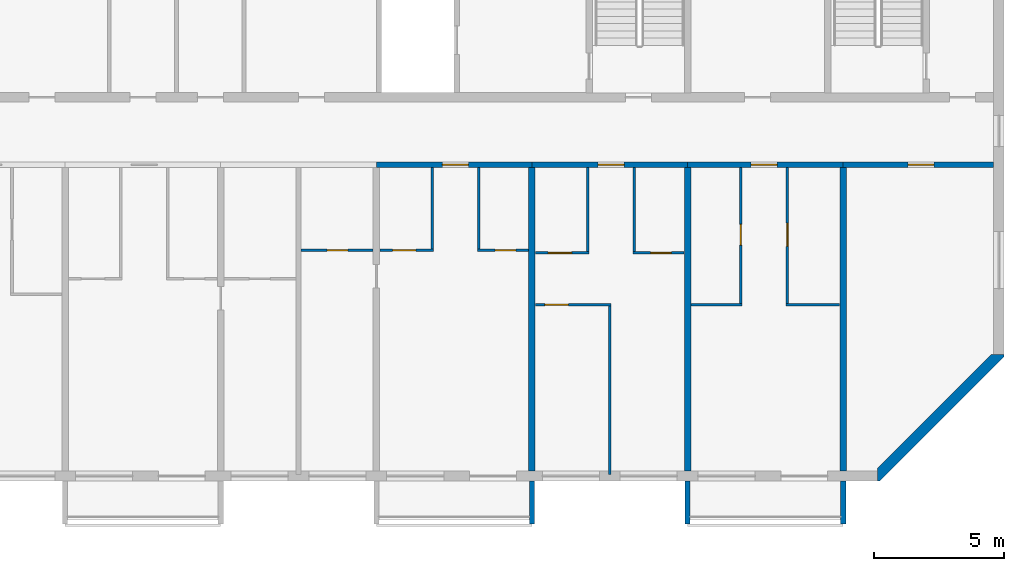
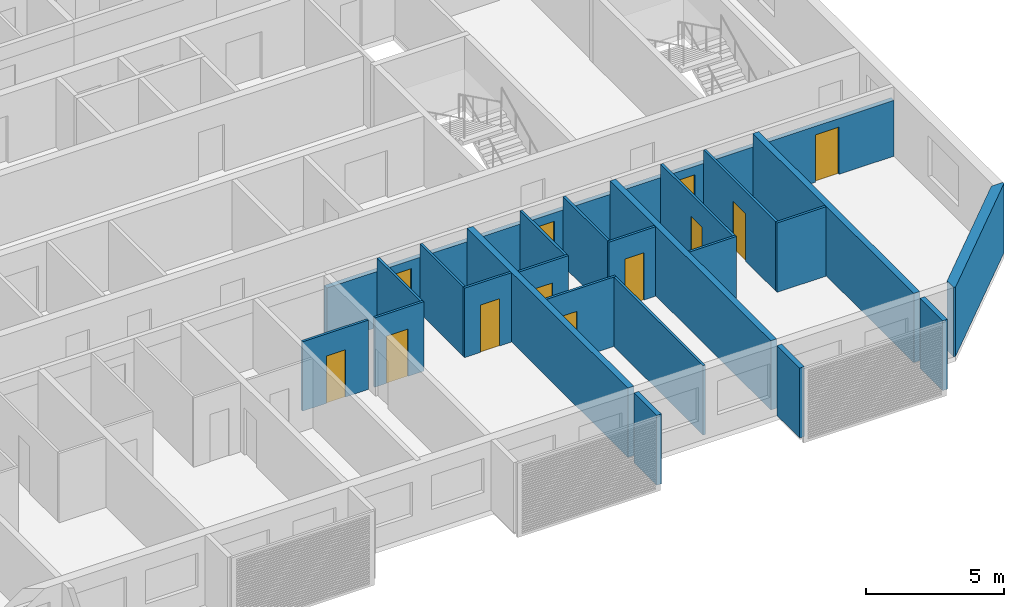
# One storey, part 5 of 27: 26 walls, 12 doors, 12 openings.
"""IFC4 building model written with IfcOpenShell, lengths in metres."""

from ifc_helpers import new_model, si_unit, direction, frame, frame_2d, origin, place, context, subcontext, project, spatial, polyline, rectangle, outline, extrude, source, transform, mapped, material, layer, layer_set, type_object, element, fill, save


model = new_model("IFC4")

# Units and contexts
model_context = context("Model", 3, precision=1e-05, world=origin(), true_north=direction((0.0, 1.0)))
body_context = subcontext(model_context, "Body", "Model", "MODEL_VIEW")
ifc_project = project(units=[si_unit("LENGTHUNIT", "METRE"), si_unit("AREAUNIT", "SQUARE_METRE"), si_unit("VOLUMEUNIT", "CUBIC_METRE"), si_unit("PLANEANGLEUNIT", "RADIAN"), si_unit("MASSUNIT", "GRAM", prefix="KILO")], contexts=[model_context])

# Site, building, storey
site_placement = place(None, origin())
site = spatial("IfcSite", under=ifc_project, at=site_placement, CompositionType="ELEMENT")
building_placement = place(site_placement, origin())
building = spatial("IfcBuilding", under=site, at=building_placement, Name="Poui Terraces", CompositionType="ELEMENT")
storey_placement = place(building_placement, frame((0.0, 0.0, 251.10009765625)))
storey = spatial("IfcBuildingStorey", under=building, at=storey_placement, Name="L70", CompositionType="ELEMENT", Elevation=251.10009765625)

# Wall, opening, door
ifc_material_1 = material(Name="Concrete 50 MPa", Category="concrete")
ifc_layer_1 = layer(ifc_material_1, 0.199951171875)
ifc_layer_set_1 = layer_set([ifc_layer_1], Name="Concrete 50 MPa")
wall_type_1 = type_object("IfcWallType", Name="CORRIDOR WALL 200 50MPa", PredefinedType="SHEAR", material=ifc_layer_set_1)
wall_1_placement = place(storey_placement, frame((60.0, 12.0, 0.0), z_axis=(0.0, 0.0, 1.0), x_axis=(1.0, 0.0, 0.0)))
wall_1 = element("IfcWall", 1, at=wall_1_placement, inside=storey, type_object=wall_type_1, Name="CORRIDOR WALL LINE B BAY 8", PredefinedType="SHEAR", context=body_context, shape_type="SweptSolid", body=[
    extrude(rectangle(XDim=6.0, YDim=0.199951171875, at=frame_2d((3.0, 0.0))), origin(), (0.0, 0.0, 1.0), 2.47998046875),
])
opening_1_placement = place(wall_1_placement, frame((2.550048828125, 0.0, 0.0)))
opening_1 = element("IfcOpeningElement", 2, at=opening_1_placement, cuts=wall_1, Name="Opening FD30S", PredefinedType="OPENING", context=body_context, shape_type="SweptSolid", body=[
    extrude(rectangle(XDim=1.0, YDim=2.10009765625, at=frame_2d((0.5, 1.050048828125))), frame((0.0, 0.10986328125, 0.0), z_axis=(0.0, -1.0, 0.0), x_axis=(1.0, 0.0, 0.0)), (0.0, 0.0, 1.0), 0.219970703125),
])
ifc_material_2 = material(Name="Steel fire door", Category="steel")
door_type_1 = type_object("IfcDoorType", Name="FLAT ENTRANCE DOOR 1000 X 2100", OperationType="NOTDEFINED", PredefinedType="DOOR", material=ifc_material_2)
door_1_placement = place(opening_1_placement, frame((1.0, 0.0, 0.0), z_axis=(0.0, 0.0, 1.0), x_axis=(-1.0, 0.0, 0.0)))
door_1 = element("IfcDoor", 3, at=door_1_placement, inside=storey, type_object=door_type_1, Name="FLAT ENTRANCE DOOR 084", OperationType="SINGLE_SWING_LEFT", OverallHeight=2.10009765625, OverallWidth=1.0, PredefinedType="DOOR", context=body_context, shape_type="SweptSolid", body=[
    extrude(rectangle(XDim=1.0, YDim=2.10009765625, at=frame_2d((0.5, 1.050048828125))), frame((0.0, 0.02490234375, 0.0), z_axis=(0.0, -1.0, 0.0), x_axis=(1.0, 0.0, 0.0)), (0.0, 0.0, 1.0), 0.050048828125),
])
fill(opening_1, door_1)

wall_2_placement = place(storey_placement, frame((66.0, 12.0, 0.0), z_axis=(0.0, 0.0, 1.0), x_axis=(1.0, 0.0, 0.0)))
wall_2 = element("IfcWall", 4, at=wall_2_placement, inside=storey, type_object=wall_type_1, Name="CORRIDOR WALL LINE B BAY 9", PredefinedType="SHEAR", context=body_context, shape_type="SweptSolid", body=[
    extrude(rectangle(XDim=6.0, YDim=0.199951171875, at=frame_2d((3.0, 0.0))), origin(), (0.0, 0.0, 1.0), 2.47998046875),
])
opening_2_placement = place(wall_2_placement, frame((2.550048828125, 0.0, 0.0)))
opening_2 = element("IfcOpeningElement", 5, at=opening_2_placement, cuts=wall_2, Name="Opening FD30S", PredefinedType="OPENING", context=body_context, shape_type="SweptSolid", body=[
    extrude(rectangle(XDim=1.0, YDim=2.10009765625, at=frame_2d((0.5, 1.050048828125))), frame((0.0, 0.10986328125, 0.0), z_axis=(0.0, -1.0, 0.0), x_axis=(1.0, 0.0, 0.0)), (0.0, 0.0, 1.0), 0.219970703125),
])
door_2_placement = place(opening_2_placement, frame((1.0, 0.0, 0.0), z_axis=(0.0, 0.0, 1.0), x_axis=(-1.0, 0.0, 0.0)))
door_2 = element("IfcDoor", 6, at=door_2_placement, inside=storey, type_object=door_type_1, Name="FLAT ENTRANCE DOOR 088", OperationType="SINGLE_SWING_LEFT", OverallHeight=2.10009765625, OverallWidth=1.0, PredefinedType="DOOR", context=body_context, shape_type="SweptSolid", body=[
    extrude(rectangle(XDim=1.0, YDim=2.10009765625, at=frame_2d((0.5, 1.050048828125))), frame((0.0, 0.02490234375, 0.0), z_axis=(0.0, -1.0, 0.0), x_axis=(1.0, 0.0, 0.0)), (0.0, 0.0, 1.0), 0.050048828125),
])
fill(opening_2, door_2)

wall_3_placement = place(storey_placement, frame((72.0, 12.0, 0.0), z_axis=(0.0, 0.0, 1.0), x_axis=(1.0, 0.0, 0.0)))
wall_3 = element("IfcWall", 7, at=wall_3_placement, inside=storey, type_object=wall_type_1, Name="CORRIDOR WALL LINE B BAY 10", PredefinedType="SHEAR", context=body_context, shape_type="SweptSolid", body=[
    extrude(rectangle(XDim=6.0, YDim=0.199951171875, at=frame_2d((3.0, 0.0))), origin(), (0.0, 0.0, 1.0), 2.47998046875),
])
opening_3_placement = place(wall_3_placement, frame((2.449951171875, 0.0, 0.0)))
opening_3 = element("IfcOpeningElement", 8, at=opening_3_placement, cuts=wall_3, Name="Opening FD30S", PredefinedType="OPENING", context=body_context, shape_type="SweptSolid", body=[
    extrude(rectangle(XDim=1.0, YDim=2.10009765625, at=frame_2d((0.5, 1.050048828125))), frame((0.0, 0.10986328125, 0.0), z_axis=(0.0, -1.0, 0.0), x_axis=(1.0, 0.0, 0.0)), (0.0, 0.0, 1.0), 0.219970703125),
])
door_3_placement = place(opening_3_placement, frame((1.0, 0.0, 0.0), z_axis=(0.0, 0.0, 1.0), x_axis=(-1.0, 0.0, 0.0)))
door_3 = element("IfcDoor", 9, at=door_3_placement, inside=storey, type_object=door_type_1, Name="FLAT ENTRANCE DOOR 091", OperationType="SINGLE_SWING_RIGHT", OverallHeight=2.10009765625, OverallWidth=1.0, PredefinedType="DOOR", context=body_context, shape_type="SweptSolid", body=[
    extrude(rectangle(XDim=1.0, YDim=2.10009765625, at=frame_2d((0.5, 1.050048828125))), frame((0.0, 0.02490234375, 0.0), z_axis=(0.0, -1.0, 0.0), x_axis=(1.0, 0.0, 0.0)), (0.0, 0.0, 1.0), 0.050048828125),
])
fill(opening_3, door_3)

wall_4_placement = place(storey_placement, frame((78.0, 12.0, 0.0), z_axis=(0.0, 0.0, 1.0), x_axis=(1.0, 0.0, 0.0)))
wall_4 = element("IfcWall", 10, at=wall_4_placement, inside=storey, type_object=wall_type_1, Name="CORRIDOR WALL LINE B BAY 11", PredefinedType="SHEAR", context=body_context, shape_type="SweptSolid", body=[
    extrude(rectangle(XDim=5.800048828125, YDim=0.199951171875, at=frame_2d((2.89990234375, 0.0))), origin(), (0.0, 0.0, 1.0), 2.47998046875),
])
opening_4_placement = place(wall_4_placement, frame((2.5, 0.0, 0.0)))
opening_4 = element("IfcOpeningElement", 11, at=opening_4_placement, cuts=wall_4, Name="Opening D100", PredefinedType="OPENING", context=body_context, shape_type="SweptSolid", body=[
    extrude(rectangle(XDim=1.0, YDim=2.10009765625, at=frame_2d((0.5, 1.050048828125))), frame((0.0, 0.10986328125, 0.0), z_axis=(0.0, -1.0, 0.0), x_axis=(1.0, 0.0, 0.0)), (0.0, 0.0, 1.0), 0.219970703125),
])
ifc_material_3 = material(Name="Solid core timber door", Category="wood")
door_type_2 = type_object("IfcDoorType", Name="ACCESSIBLE INTERNAL DOOR 1000 X 2100", OperationType="NOTDEFINED", PredefinedType="DOOR", material=ifc_material_3)
door_4_placement = place(opening_4_placement, frame((1.0, 0.0, 0.0), z_axis=(0.0, 0.0, 1.0), x_axis=(-1.0, 0.0, 0.0)))
door_4 = element("IfcDoor", 12, at=door_4_placement, inside=storey, type_object=door_type_2, Name="ACCESSIBLE INTERNAL DOOR 093", OperationType="SINGLE_SWING_RIGHT", OverallHeight=2.10009765625, OverallWidth=1.0, PredefinedType="DOOR", context=body_context, shape_type="SweptSolid", body=[
    extrude(rectangle(XDim=1.0, YDim=2.10009765625, at=frame_2d((0.5, 1.050048828125))), frame((0.0, 0.02490234375, 0.0), z_axis=(0.0, -1.0, 0.0), x_axis=(1.0, 0.0, 0.0)), (0.0, 0.0, 1.0), 0.050048828125),
])
fill(opening_4, door_4)

# Walls
ifc_layer_2 = layer(ifc_material_1, 0.25)
ifc_layer_set_2 = layer_set([ifc_layer_2], Name="Concrete 50 MPa")
wall_type_2 = type_object("IfcWallType", Name="CROSS WALL 250 50MPa", PredefinedType="SHEAR", material=ifc_layer_set_2)
for number, where, z_axis, x_axis, name in (
    (13, (66.0, 0.199951171875, 0.0), (0.0, 0.0, 1.0), (0.0, 1.0, 0.0), "CROSS WALL LINE 12 SOUTH"),
    (14, (72.0, 0.199951171875, 0.0), (0.0, 0.0, 1.0), (0.0, 1.0, 0.0), "CROSS WALL LINE 13 SOUTH"),
    (15, (78.0, 0.199951171875, 0.0), (0.0, 0.0, 1.0), (0.0, 1.0, 0.0), "CROSS WALL LINE 14 SOUTH"),
):
    element("IfcWall", number, at=place(storey_placement, frame(where, z_axis=z_axis, x_axis=x_axis)), inside=storey, type_object=wall_type_2, Name=name, PredefinedType="SHEAR", context=body_context, shape_type="SweptSolid", body=[
        extrude(rectangle(XDim=11.699951171875, YDim=0.25, at=frame_2d((5.85009765625, 0.0))), origin(), (0.0, 0.0, 1.0), 3.079833984375),
    ])

# Wall, opening, door
ifc_material_4 = material(Name="Plasterboard partition")
ifc_layer_3 = layer(ifc_material_4, 0.10009765625)
ifc_layer_set_3 = layer_set([ifc_layer_3], Name="Plasterboard partition")
wall_type_3 = type_object("IfcWallType", Name="FLAT PARTITION 100", PredefinedType="PARTITIONING", material=ifc_layer_set_3)
wall_5_placement = place(storey_placement, frame((66.135009765625, 6.60009765625, 0.0), z_axis=(0.0, 0.0, 1.0), x_axis=(1.0, 0.0, 0.0)))
wall_5 = element("IfcWall", 16, at=wall_5_placement, inside=storey, type_object=wall_type_3, Name="FLAT PARTITION 100", PredefinedType="PARTITIONING", context=body_context, shape_type="SweptSolid", body=[
    extrude(rectangle(XDim=2.9150390625, YDim=0.10009765625, at=frame_2d((1.45751953125, 0.0))), origin(), (0.0, 0.0, 1.0), 3.079833984375),
])
opening_5_placement = place(wall_5_placement, frame((0.364990234375, 0.0, 0.0)))
opening_5 = element("IfcOpeningElement", 17, at=opening_5_placement, cuts=wall_5, Name="Opening D90", PredefinedType="OPENING", context=body_context, shape_type="SweptSolid", body=[
    extrude(rectangle(XDim=0.89990234375, YDim=2.10009765625, at=frame_2d((0.449951171875, 1.050048828125))), frame((0.0, 0.06005859375, 0.0), z_axis=(0.0, -1.0, 0.0), x_axis=(1.0, 0.0, 0.0)), (0.0, 0.0, 1.0), 0.1201171875),
])
door_type_3 = type_object("IfcDoorType", Name="INTERNAL DOOR 900 X 2100", OperationType="NOTDEFINED", PredefinedType="DOOR", material=ifc_material_3)
door_5_placement = place(opening_5_placement, origin())
door_5 = element("IfcDoor", 18, at=door_5_placement, inside=storey, type_object=door_type_3, Name="INTERNAL DOOR 086", OperationType="SINGLE_SWING_RIGHT", OverallHeight=2.10009765625, OverallWidth=0.89990234375, PredefinedType="DOOR", context=body_context, shape_type="SweptSolid", body=[
    extrude(rectangle(XDim=0.89990234375, YDim=2.10009765625, at=frame_2d((0.449951171875, 1.050048828125))), frame((0.0, 0.02490234375, 0.0), z_axis=(0.0, -1.0, 0.0), x_axis=(1.0, 0.0, 0.0)), (0.0, 0.0, 1.0), 0.050048828125),
])
fill(opening_5, door_5)

# Walls
wall_6_placement = place(storey_placement, frame((72.135009765625, 6.60009765625, 0.0), z_axis=(0.0, 0.0, 1.0), x_axis=(1.0, 0.0, 0.0)))
element("IfcWall", 19, at=wall_6_placement, inside=storey, type_object=wall_type_3, Name="FLAT PARTITION 100", PredefinedType="PARTITIONING", context=body_context, shape_type="SweptSolid", body=[
    extrude(rectangle(XDim=1.965087890625, YDim=0.10009765625, at=frame_2d((0.982421875, 0.0))), origin(), (0.0, 0.0, 1.0), 3.079833984375),
])
wall_7_placement = place(storey_placement, frame((75.800048828125, 6.60009765625, 0.0), z_axis=(0.0, 0.0, 1.0), x_axis=(1.0, 0.0, 0.0)))
element("IfcWall", 20, at=wall_7_placement, inside=storey, type_object=wall_type_3, Name="FLAT PARTITION 100", PredefinedType="PARTITIONING", context=body_context, shape_type="SweptSolid", body=[
    extrude(rectangle(XDim=2.06494140625, YDim=0.10009765625, at=frame_2d((1.032470703125, 0.0))), origin(), (0.0, 0.0, 1.0), 3.079833984375),
])

# Wall, opening, door
wall_8_placement = place(storey_placement, frame((66.135009765625, 8.60009765625, 0.0), z_axis=(0.0, 0.0, 1.0), x_axis=(1.0, 0.0, 0.0)))
wall_8 = element("IfcWall", 21, at=wall_8_placement, inside=storey, type_object=wall_type_3, Name="FLAT PARTITION 100", PredefinedType="PARTITIONING", context=body_context, shape_type="SweptSolid", body=[
    extrude(rectangle(XDim=2.06494140625, YDim=0.10009765625, at=frame_2d((1.032470703125, 0.0))), origin(), (0.0, 0.0, 1.0), 3.079833984375),
])
opening_6_placement = place(wall_8_placement, frame((0.489990234375, 0.0, 0.0)))
opening_6 = element("IfcOpeningElement", 22, at=opening_6_placement, cuts=wall_8, Name="Opening D90", PredefinedType="OPENING", context=body_context, shape_type="SweptSolid", body=[
    extrude(rectangle(XDim=0.89990234375, YDim=2.10009765625, at=frame_2d((0.449951171875, 1.050048828125))), frame((0.0, 0.06005859375, 0.0), z_axis=(0.0, -1.0, 0.0), x_axis=(1.0, 0.0, 0.0)), (0.0, 0.0, 1.0), 0.1201171875),
])
door_6_placement = place(opening_6_placement, origin())
door_6 = element("IfcDoor", 23, at=door_6_placement, inside=storey, type_object=door_type_3, Name="INTERNAL DOOR 087", OperationType="SINGLE_SWING_LEFT", OverallHeight=2.10009765625, OverallWidth=0.89990234375, PredefinedType="DOOR", context=body_context, shape_type="SweptSolid", body=[
    extrude(rectangle(XDim=0.89990234375, YDim=2.10009765625, at=frame_2d((0.449951171875, 1.050048828125))), frame((0.0, 0.02490234375, 0.0), z_axis=(0.0, -1.0, 0.0), x_axis=(1.0, 0.0, 0.0)), (0.0, 0.0, 1.0), 0.050048828125),
])
fill(opening_6, door_6)

wall_9_placement = place(storey_placement, frame((69.89990234375, 8.60009765625, 0.0), z_axis=(0.0, 0.0, 1.0), x_axis=(1.0, 0.0, 0.0)))
wall_9 = element("IfcWall", 24, at=wall_9_placement, inside=storey, type_object=wall_type_3, Name="FLAT PARTITION 100", PredefinedType="PARTITIONING", context=body_context, shape_type="SweptSolid", body=[
    extrude(rectangle(XDim=1.965087890625, YDim=0.10009765625, at=frame_2d((0.982421875, 0.0))), origin(), (0.0, 0.0, 1.0), 3.079833984375),
])
opening_7_placement = place(wall_9_placement, frame((0.675048828125, 0.0, 0.0)))
opening_7 = element("IfcOpeningElement", 25, at=opening_7_placement, cuts=wall_9, Name="Opening D80", PredefinedType="OPENING", context=body_context, shape_type="SweptSolid", body=[
    extrude(rectangle(XDim=0.800048828125, YDim=2.10009765625, at=frame_2d((0.39990234375, 1.050048828125))), frame((0.0, 0.06005859375, 0.0), z_axis=(0.0, -1.0, 0.0), x_axis=(1.0, 0.0, 0.0)), (0.0, 0.0, 1.0), 0.1201171875),
])
door_type_4 = type_object("IfcDoorType", Name="BATHROOM, LAUNDRY AND STORE DOOR 800 X 2100", OperationType="NOTDEFINED", PredefinedType="DOOR", material=ifc_material_3)
door_7_placement = place(opening_7_placement, origin())
door_7 = element("IfcDoor", 26, at=door_7_placement, inside=storey, type_object=door_type_4, Name="BATHROOM, LAUNDRY AND STORE DOOR 089", OperationType="SINGLE_SWING_RIGHT", OverallHeight=2.10009765625, OverallWidth=0.800048828125, PredefinedType="DOOR", context=body_context, shape_type="SweptSolid", body=[
    extrude(rectangle(XDim=0.800048828125, YDim=2.10009765625, at=frame_2d((0.39990234375, 1.050048828125))), frame((0.0, 0.02490234375, 0.0), z_axis=(0.0, -1.0, 0.0), x_axis=(1.0, 0.0, 0.0)), (0.0, 0.0, 1.0), 0.050048828125),
])
fill(opening_7, door_7)

wall_10_placement = place(storey_placement, frame((57.10009765625, 8.699951171875, 0.0), z_axis=(0.0, 0.0, 1.0), x_axis=(1.0, 0.0, 0.0)))
wall_10 = element("IfcWall", 27, at=wall_10_placement, inside=storey, type_object=wall_type_3, Name="FLAT PARTITION 100", PredefinedType="PARTITIONING", context=body_context, shape_type="SweptSolid", body=[
    extrude(rectangle(XDim=2.764892578125, YDim=0.10009765625, at=frame_2d((1.38232421875, 0.0))), origin(), (0.0, 0.0, 1.0), 3.079833984375),
])
opening_8_placement = place(wall_10_placement, frame((1.0, 0.0, 0.0)))
opening_8 = element("IfcOpeningElement", 28, at=opening_8_placement, cuts=wall_10, Name="Opening D80", PredefinedType="OPENING", context=body_context, shape_type="SweptSolid", body=[
    extrude(rectangle(XDim=0.800048828125, YDim=2.10009765625, at=frame_2d((0.39990234375, 1.050048828125))), frame((0.0, 0.06005859375, 0.0), z_axis=(0.0, -1.0, 0.0), x_axis=(1.0, 0.0, 0.0)), (0.0, 0.0, 1.0), 0.1201171875),
])
door_8_placement = place(opening_8_placement, origin())
door_8 = element("IfcDoor", 29, at=door_8_placement, inside=storey, type_object=door_type_4, Name="BATHROOM, LAUNDRY AND STORE DOOR 081", OperationType="SINGLE_SWING_RIGHT", OverallHeight=2.10009765625, OverallWidth=0.800048828125, PredefinedType="DOOR", context=body_context, shape_type="SweptSolid", body=[
    extrude(rectangle(XDim=0.800048828125, YDim=2.10009765625, at=frame_2d((0.39990234375, 1.050048828125))), frame((0.0, 0.02490234375, 0.0), z_axis=(0.0, -1.0, 0.0), x_axis=(1.0, 0.0, 0.0)), (0.0, 0.0, 1.0), 0.050048828125),
])
fill(opening_8, door_8)

wall_11_placement = place(storey_placement, frame((60.135009765625, 8.699951171875, 0.0), z_axis=(0.0, 0.0, 1.0), x_axis=(1.0, 0.0, 0.0)))
wall_11 = element("IfcWall", 30, at=wall_11_placement, inside=storey, type_object=wall_type_3, Name="FLAT PARTITION 100", PredefinedType="PARTITIONING", context=body_context, shape_type="SweptSolid", body=[
    extrude(rectangle(XDim=2.06494140625, YDim=0.10009765625, at=frame_2d((1.032470703125, 0.0))), origin(), (0.0, 0.0, 1.0), 3.079833984375),
])
opening_9_placement = place(wall_11_placement, frame((0.489990234375, 0.0, 0.0)))
opening_9 = element("IfcOpeningElement", 31, at=opening_9_placement, cuts=wall_11, Name="Opening D90", PredefinedType="OPENING", context=body_context, shape_type="SweptSolid", body=[
    extrude(rectangle(XDim=0.89990234375, YDim=2.10009765625, at=frame_2d((0.449951171875, 1.050048828125))), frame((0.0, 0.06005859375, 0.0), z_axis=(0.0, -1.0, 0.0), x_axis=(1.0, 0.0, 0.0)), (0.0, 0.0, 1.0), 0.1201171875),
])
door_9_placement = place(opening_9_placement, origin())
door_9 = element("IfcDoor", 32, at=door_9_placement, inside=storey, type_object=door_type_3, Name="INTERNAL DOOR 083", OperationType="SINGLE_SWING_LEFT", OverallHeight=2.10009765625, OverallWidth=0.89990234375, PredefinedType="DOOR", context=body_context, shape_type="SweptSolid", body=[
    extrude(rectangle(XDim=0.89990234375, YDim=2.10009765625, at=frame_2d((0.449951171875, 1.050048828125))), frame((0.0, 0.02490234375, 0.0), z_axis=(0.0, -1.0, 0.0), x_axis=(1.0, 0.0, 0.0)), (0.0, 0.0, 1.0), 0.050048828125),
])
fill(opening_9, door_9)

wall_12_placement = place(storey_placement, frame((63.89990234375, 8.699951171875, 0.0), z_axis=(0.0, 0.0, 1.0), x_axis=(1.0, 0.0, 0.0)))
wall_12 = element("IfcWall", 33, at=wall_12_placement, inside=storey, type_object=wall_type_3, Name="FLAT PARTITION 100", PredefinedType="PARTITIONING", context=body_context, shape_type="SweptSolid", body=[
    extrude(rectangle(XDim=1.965087890625, YDim=0.10009765625, at=frame_2d((0.982421875, 0.0))), origin(), (0.0, 0.0, 1.0), 3.079833984375),
])
opening_10_placement = place(wall_12_placement, frame((0.675048828125, 0.0, 0.0)))
opening_10 = element("IfcOpeningElement", 34, at=opening_10_placement, cuts=wall_12, Name="Opening D80", PredefinedType="OPENING", context=body_context, shape_type="SweptSolid", body=[
    extrude(rectangle(XDim=0.800048828125, YDim=2.10009765625, at=frame_2d((0.39990234375, 1.050048828125))), frame((0.0, 0.06005859375, 0.0), z_axis=(0.0, -1.0, 0.0), x_axis=(1.0, 0.0, 0.0)), (0.0, 0.0, 1.0), 0.1201171875),
])
door_10_placement = place(opening_10_placement, origin())
door_10 = element("IfcDoor", 35, at=door_10_placement, inside=storey, type_object=door_type_4, Name="BATHROOM, LAUNDRY AND STORE DOOR 085", OperationType="SINGLE_SWING_RIGHT", OverallHeight=2.10009765625, OverallWidth=0.800048828125, PredefinedType="DOOR", context=body_context, shape_type="SweptSolid", body=[
    extrude(rectangle(XDim=0.800048828125, YDim=2.10009765625, at=frame_2d((0.39990234375, 1.050048828125))), frame((0.0, 0.02490234375, 0.0), z_axis=(0.0, -1.0, 0.0), x_axis=(1.0, 0.0, 0.0)), (0.0, 0.0, 1.0), 0.050048828125),
])
fill(opening_10, door_10)

# Walls
for number, where, z_axis, x_axis, name in (
    (36, (62.14990234375, 8.75, 0.0), (0.0, 0.0, 1.0), (0.0, 1.0, 0.0), "FLAT PARTITION 100"),
    (37, (63.949951171875, 8.75, 0.0), (0.0, 0.0, 1.0), (0.0, 1.0, 0.0), "FLAT PARTITION 100"),
):
    element("IfcWall", number, at=place(storey_placement, frame(where, z_axis=z_axis, x_axis=x_axis)), inside=storey, type_object=wall_type_3, Name=name, PredefinedType="PARTITIONING", context=body_context, shape_type="SweptSolid", body=[
        extrude(rectangle(XDim=3.139892578125, YDim=0.10009765625, at=frame_2d((1.56982421875, 0.0))), origin(), (0.0, 0.0, 1.0), 3.079833984375),
    ])
wall_13_placement = place(storey_placement, frame((68.14990234375, 8.64990234375, 0.0), z_axis=(0.0, 0.0, 1.0), x_axis=(0.0, 1.0, 0.0)))
element("IfcWall", 38, at=wall_13_placement, inside=storey, type_object=wall_type_3, Name="FLAT PARTITION 100", PredefinedType="PARTITIONING", context=body_context, shape_type="SweptSolid", body=[
    extrude(rectangle(XDim=3.239990234375, YDim=0.10009765625, at=frame_2d((1.6201171875, 0.0))), origin(), (0.0, 0.0, 1.0), 3.079833984375),
])
wall_14_placement = place(storey_placement, frame((69.0, 0.06005859375, 0.0), z_axis=(0.0, 0.0, 1.0), x_axis=(0.0, 1.0, 0.0)))
element("IfcWall", 39, at=wall_14_placement, inside=storey, type_object=wall_type_3, Name="FLAT PARTITION 100", PredefinedType="PARTITIONING", context=body_context, shape_type="SweptSolid", body=[
    extrude(rectangle(XDim=6.489990234375, YDim=0.10009765625, at=frame_2d((3.2451171875, 0.0))), origin(), (0.0, 0.0, 1.0), 3.079833984375),
])
wall_15_placement = place(storey_placement, frame((69.949951171875, 8.64990234375, 0.0), z_axis=(0.0, 0.0, 1.0), x_axis=(0.0, 1.0, 0.0)))
element("IfcWall", 40, at=wall_15_placement, inside=storey, type_object=wall_type_3, Name="FLAT PARTITION 100", PredefinedType="PARTITIONING", context=body_context, shape_type="SweptSolid", body=[
    extrude(rectangle(XDim=3.239990234375, YDim=0.10009765625, at=frame_2d((1.6201171875, 0.0))), origin(), (0.0, 0.0, 1.0), 3.079833984375),
])

# Wall, opening, door
wall_16_placement = place(storey_placement, frame((74.050048828125, 6.64990234375, 0.0), z_axis=(0.0, 0.0, 1.0), x_axis=(0.0, 1.0, 0.0)))
wall_16 = element("IfcWall", 41, at=wall_16_placement, inside=storey, type_object=wall_type_3, Name="FLAT PARTITION 100", PredefinedType="PARTITIONING", context=body_context, shape_type="SweptSolid", body=[
    extrude(rectangle(XDim=5.239990234375, YDim=0.10009765625, at=frame_2d((2.6201171875, 0.0))), origin(), (0.0, 0.0, 1.0), 3.079833984375),
])
opening_11_placement = place(wall_16_placement, frame((2.25, 0.0, 0.0)))
opening_11 = element("IfcOpeningElement", 42, at=opening_11_placement, cuts=wall_16, Name="Opening D80", PredefinedType="OPENING", context=body_context, shape_type="SweptSolid", body=[
    extrude(rectangle(XDim=0.800048828125, YDim=2.10009765625, at=frame_2d((0.39990234375, 1.050048828125))), frame((0.0, 0.06005859375, 0.0), z_axis=(0.0, -1.0, 0.0), x_axis=(1.0, 0.0, 0.0)), (0.0, 0.0, 1.0), 0.1201171875),
])
door_11_placement = place(opening_11_placement, origin())
door_11 = element("IfcDoor", 43, at=door_11_placement, inside=storey, type_object=door_type_4, Name="BATHROOM, LAUNDRY AND STORE DOOR 090", OperationType="SINGLE_SWING_LEFT", OverallHeight=2.10009765625, OverallWidth=0.800048828125, PredefinedType="DOOR", context=body_context, shape_type="SweptSolid", body=[
    extrude(rectangle(XDim=0.800048828125, YDim=2.10009765625, at=frame_2d((0.39990234375, 1.050048828125))), frame((0.0, 0.02490234375, 0.0), z_axis=(0.0, -1.0, 0.0), x_axis=(1.0, 0.0, 0.0)), (0.0, 0.0, 1.0), 0.050048828125),
])
fill(opening_11, door_11)

wall_17_placement = place(storey_placement, frame((75.85009765625, 6.64990234375, 0.0), z_axis=(0.0, 0.0, 1.0), x_axis=(0.0, 1.0, 0.0)))
wall_17 = element("IfcWall", 44, at=wall_17_placement, inside=storey, type_object=wall_type_3, Name="FLAT PARTITION 100", PredefinedType="PARTITIONING", context=body_context, shape_type="SweptSolid", body=[
    extrude(rectangle(XDim=5.239990234375, YDim=0.10009765625, at=frame_2d((2.6201171875, 0.0))), origin(), (0.0, 0.0, 1.0), 3.079833984375),
])
opening_12_placement = place(wall_17_placement, frame((2.199951171875, 0.0, 0.0)))
opening_12 = element("IfcOpeningElement", 45, at=opening_12_placement, cuts=wall_17, Name="Opening D90", PredefinedType="OPENING", context=body_context, shape_type="SweptSolid", body=[
    extrude(rectangle(XDim=0.89990234375, YDim=2.10009765625, at=frame_2d((0.449951171875, 1.050048828125))), frame((0.0, 0.06005859375, 0.0), z_axis=(0.0, -1.0, 0.0), x_axis=(1.0, 0.0, 0.0)), (0.0, 0.0, 1.0), 0.1201171875),
])
door_12_placement = place(opening_12_placement, frame((0.89990234375, 0.0, 0.0), z_axis=(0.0, 0.0, 1.0), x_axis=(-1.0, 0.0, 0.0)))
door_12 = element("IfcDoor", 46, at=door_12_placement, inside=storey, type_object=door_type_3, Name="INTERNAL DOOR 092", OperationType="SINGLE_SWING_LEFT", OverallHeight=2.10009765625, OverallWidth=0.89990234375, PredefinedType="DOOR", context=body_context, shape_type="SweptSolid", body=[
    extrude(rectangle(XDim=0.89990234375, YDim=2.10009765625, at=frame_2d((0.449951171875, 1.050048828125))), frame((0.0, 0.02490234375, 0.0), z_axis=(0.0, -1.0, 0.0), x_axis=(1.0, 0.0, 0.0)), (0.0, 0.0, 1.0), 0.050048828125),
])
fill(opening_12, door_12)

# Walls
ifc_material_5 = material(Name="Precast concrete 40 MPa", Category="concrete")
ifc_layer_4 = layer(ifc_material_5, 0.39990234375)
ifc_layer_set_4 = layer_set([ifc_layer_4], Name="Precast concrete 40 MPa")
wall_type_4 = type_object("IfcWallType", Name="TERRACOTTA CLAD CHAMFER WALL 400", PredefinedType="STANDARD", material=ifc_layer_set_4)
wall_18_placement = place(storey_placement, origin())
element("IfcWall", 47, at=wall_18_placement, inside=storey, type_object=wall_type_4, Name="CHAMFER WALL CH01", PredefinedType="STANDARD", context=body_context, shape_type="SweptSolid", body=[
    extrude(outline(polyline([(79.317138671875, -0.199951171875), (79.39990234375, -0.199951171875), (84.199951171875, 4.60009765625), (84.199951171875, 4.682861328125), (83.71728515625, 4.682861328125), (79.317138671875, 0.28271484375), (79.317138671875, -0.199951171875)])), origin(), (0.0, 0.0, 1.0), 3.079833984375),
])
ifc_layer_5 = layer(ifc_material_5, 0.199951171875)
ifc_layer_set_5 = layer_set([ifc_layer_5], Name="Precast concrete 40 MPa")
wall_type_5 = type_object("IfcWallType", Name="REAR FIN 200", PredefinedType="STANDARD", material=ifc_layer_set_5)
shared_shape = source(origin(), body_context, "Body", "SweptSolid", [
    extrude(outline(polyline([(0.0, 0.0), (0.2001953125, 0.0), (0.2001953125, 1.650146484375), (0.0, 1.650146484375), (0.0, 0.0)])), origin(), (0.0, 0.0, 1.0), 3.099853515625),
])
for number, where, name in (
    (48, (65.89990234375, -1.85009765625, 0.0), "REAR FIN"),
    (49, (71.89990234375, -1.85009765625, 0.0), "REAR FIN"),
    (50, (77.89990234375, -1.85009765625, 0.0), "REAR FIN"),
):
    element("IfcWall", number, at=place(storey_placement, frame(where)), inside=storey, type_object=wall_type_5, Name=name, PredefinedType="STANDARD", context=body_context, shape_type="MappedRepresentation", body=[
        mapped(shared_shape, transform((0.0, 0.0, 0.0))),
    ])

save(model, "model.ifc")
